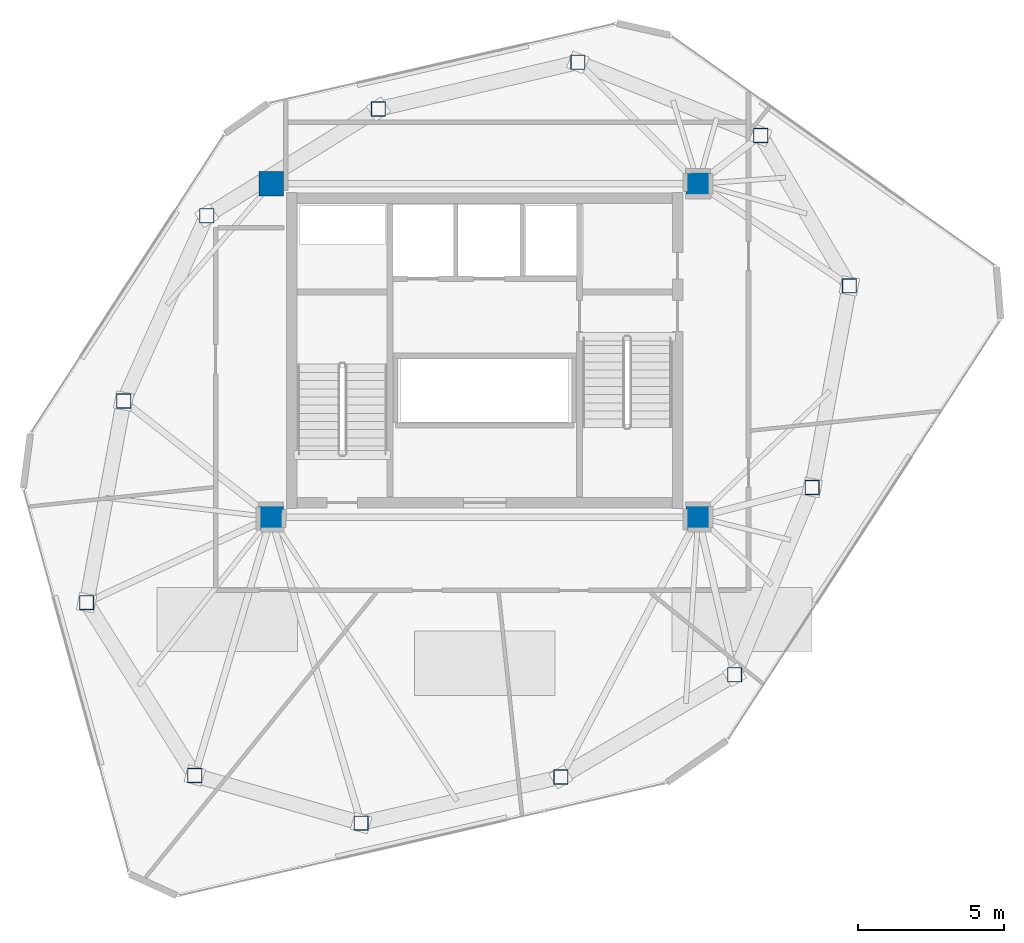
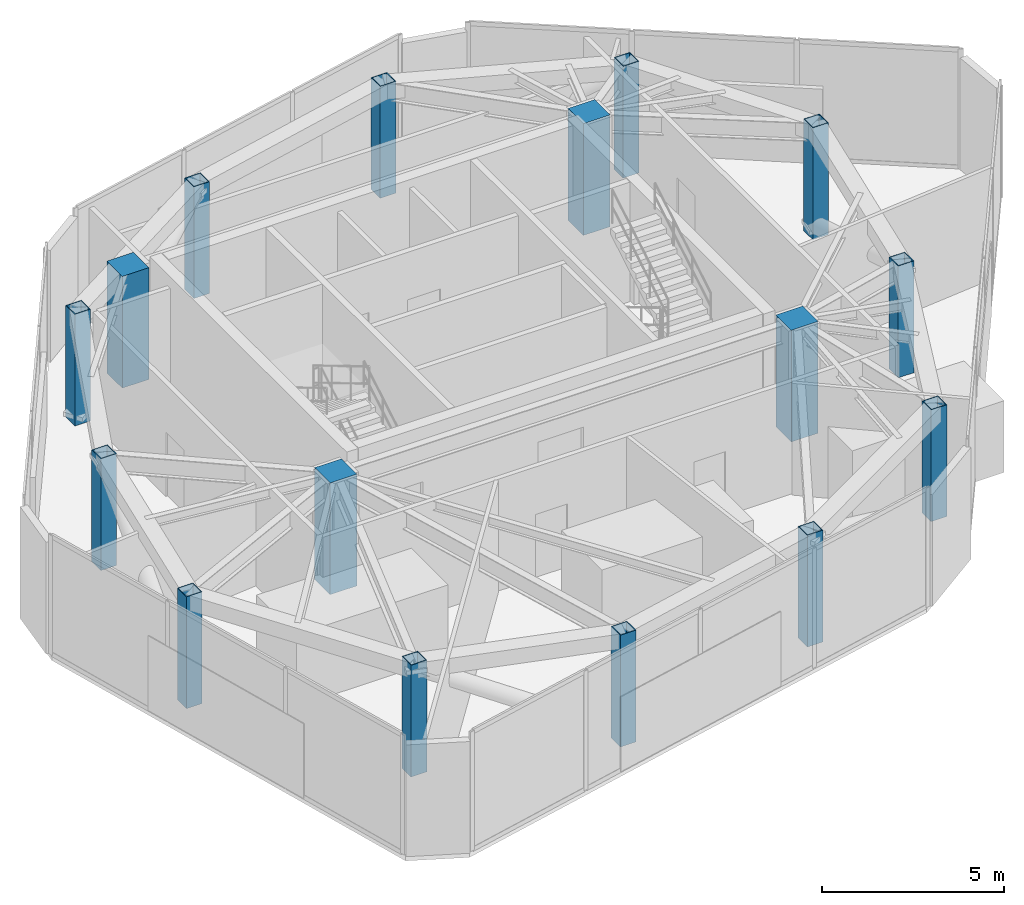
# One storey, part 1 of 21: 16 columns.
"""IFC4 building model written with IfcOpenShell, lengths in metres."""

import ifcopenshell
import ifcopenshell.guid

model = None  # the IFC model being written
_history = None  # IfcOwnerHistory: only IFC2X3 demands one
_inside = {}  # id of a spatial element -> (the spatial element, [elements in it])
_under = {}  # id of a project, library or spatial element -> (it, [spatial elements below it])
_declared = {}  # id of a project -> (the project, [libraries it declares])
_typed = {}  # id of a type object -> (the type object, [elements of that type])
_made_of = {}  # id of a material, layer set ... -> (it, [elements and type objects made of it])


def new_model(schema):
    """Start an empty IFC model of exactly this schema.

    Asked for "IFC4X3", IfcOpenShell would pick the latest addendum, in which some entities
    have other attributes; the version numbers below select the first issue.
    IFC2X3 requires an IfcOwnerHistory on every rooted entity: one is made here for all.
    """
    global model, _history
    if schema == "IFC4X3":
        model = ifcopenshell.file(schema_version=(4, 3, 0, 0))
    else:
        model = ifcopenshell.file(schema=schema)
    _inside.clear()
    _under.clear()
    _declared.clear()
    _typed.clear()
    _made_of.clear()
    _history = None
    if model.schema == "IFC2X3":
        org = make("IfcOrganization", Name="unknown")
        user = make(
            "IfcPersonAndOrganization",
            ThePerson=make("IfcPerson", FamilyName="unknown"),
            TheOrganization=org,
        )
        app = make(
            "IfcApplication",
            ApplicationDeveloper=org,
            Version="unknown",
            ApplicationFullName="unknown",
            ApplicationIdentifier="unknown",
        )
        _history = make(
            "IfcOwnerHistory",
            OwningUser=user,
            OwningApplication=app,
            ChangeAction="ADDED",
            CreationDate=0,
        )
    return model


def make(cls, **values):
    """One entity of the class cls with the attributes given. An attribute that is None is left unset."""
    return model.create_entity(
        cls, **{name: value for name, value in values.items() if value is not None}
    )


def rooted(cls, **values):
    """An entity with a GlobalId (a new one), such as an element, a storey or a relation."""
    return make(cls, GlobalId=ifcopenshell.guid.new(), OwnerHistory=_history, **values)


def si_unit(unit_type, name, prefix=None):
    """IfcSIUnit, for example si_unit("LENGTHUNIT", "METRE", prefix="MILLI")."""
    return make("IfcSIUnit", UnitType=unit_type, Prefix=prefix, Name=name)


def assignment(units):
    """IfcUnitAssignment: the units of a project."""
    return None if units is None else make("IfcUnitAssignment", Units=units)


def point(xyz):
    """IfcCartesianPoint."""
    return None if xyz is None else make("IfcCartesianPoint", Coordinates=xyz)


def direction(xyz):
    """IfcDirection."""
    return None if xyz is None else make("IfcDirection", DirectionRatios=xyz)


def frame(location, z_axis=None, x_axis=None):
    """IfcAxis2Placement3D, a coordinate frame: its origin and axes. An axis left out is left unset."""
    return make(
        "IfcAxis2Placement3D",
        Location=point(location),
        Axis=direction(z_axis),
        RefDirection=direction(x_axis),
    )


def frame_2d(location, x_axis=None):
    """IfcAxis2Placement2D, a coordinate frame in the plane: its origin and x axis."""
    return make(
        "IfcAxis2Placement2D", Location=point(location), RefDirection=direction(x_axis)
    )


def origin():
    """The frame at (0, 0, 0) with its axes left unset."""
    return frame((0.0, 0.0, 0.0))


def origin_2d():
    """The frame at (0, 0) in the plane with its x axis left unset."""
    return frame_2d((0.0, 0.0))


def place(relative_to, where):
    """IfcLocalPlacement: puts the frame where relative to a parent placement (None: the world)."""
    return make(
        "IfcLocalPlacement", PlacementRelTo=relative_to, RelativePlacement=where
    )


def context(
    kind, dimensions, precision=None, world=None, true_north=None, identifier=None
):
    """IfcGeometricRepresentationContext, for example the 3D "Model" context."""
    return make(
        "IfcGeometricRepresentationContext",
        ContextIdentifier=identifier,
        ContextType=kind,
        CoordinateSpaceDimension=dimensions,
        Precision=precision,
        WorldCoordinateSystem=world,
        TrueNorth=true_north,
    )


def subcontext(parent, identifier, kind, view, scale=None):
    """IfcGeometricRepresentationSubContext, for example "Body" below "Model"."""
    return make(
        "IfcGeometricRepresentationSubContext",
        ContextIdentifier=identifier,
        ContextType=kind,
        ParentContext=parent,
        TargetScale=scale,
        TargetView=view,
    )


def project(units=None, contexts=None):
    """IfcProject with its units and contexts."""
    return rooted(
        "IfcProject",
        Name="project",
        RepresentationContexts=contexts,
        UnitsInContext=assignment(units),
    )


def spatial(cls, under=None, at=None, **own):
    """A site, building, storey or space (cls), placed at a placement, below another one or the project."""
    s = rooted(cls, ObjectPlacement=at, **own)
    if under is not None:
        _under.setdefault(under.id(), (under, []))[1].append(s)
    return s


def profile(cls, at=None, kind="AREA", **sizes):
    """A parametric profile (cls). Its sizes go by their IFC names, for example OverallWidth=200.0."""
    return make(cls, ProfileType=kind, Position=at, **sizes)


def rectangle(**sizes):
    """IfcRectangleProfileDef."""
    return profile("IfcRectangleProfileDef", **sizes)


def hollow_rectangle(**sizes):
    """IfcRectangleHollowProfileDef."""
    return profile("IfcRectangleHollowProfileDef", **sizes)


def extrude(swept, where, along, depth):
    """IfcExtrudedAreaSolid: the profile swept, set in the frame where, extruded along a direction by depth."""
    return make(
        "IfcExtrudedAreaSolid",
        SweptArea=swept,
        Position=where,
        ExtrudedDirection=direction(along),
        Depth=depth,
    )


def shape(context_of_items, identifier, shape_type, items):
    """IfcShapeRepresentation: the items that make up one representation, for example the "Body"."""
    return make(
        "IfcShapeRepresentation",
        ContextOfItems=context_of_items,
        RepresentationIdentifier=identifier,
        RepresentationType=shape_type,
        Items=items,
    )


def material(Name=None, Category=None):
    """IfcMaterial."""
    return make("IfcMaterial", Name=Name, Category=Category)


def material_profile(
    of_material, cross_section, Name=None, Category=None, Priority=None
):
    """IfcMaterialProfile: a cross section and its material."""
    return make(
        "IfcMaterialProfile",
        Name=Name,
        Material=of_material,
        Profile=cross_section,
        Priority=Priority,
        Category=Category,
    )


def profile_set(profiles, Name=None, composite=None):
    """IfcMaterialProfileSet."""
    return make(
        "IfcMaterialProfileSet",
        Name=Name,
        MaterialProfiles=profiles,
        CompositeProfile=composite,
    )


def made_of(thing, what):
    """Note that an element or type object is made of a material, layer set ...; save() writes the relation."""
    if what is not None:
        _made_of.setdefault(what.id(), (what, []))[1].append(thing)
    return thing


def type_object(cls, material=None, **own):
    """A type object (cls), such as IfcWallType, which elements share."""
    return made_of(rooted(cls, **own), material)


def element(
    cls,
    number,
    at=None,
    inside=None,
    cuts=None,
    type_object=None,
    material=None,
    context=None,
    identifier="Body",
    shape_type=None,
    held_by="IfcProductDefinitionShape",
    body=None,
    shapes=None,
    **own,
):
    """One element of the class cls, such as IfcWall. Its Tag is "e" and its number.

    at: its placement. inside: the storey or other place that contains it. cuts: it is an
    opening in that element (IfcRelVoidsElement). A single representation is given by context,
    identifier, shape_type and body (its items); several are given by shapes. held_by: the class
    of the entity that holds the representations. save() writes the other relations.
    """
    e = rooted(cls, Tag="e%d" % number, ObjectPlacement=at, **own)
    if body is not None:
        shapes = [shape(context, identifier, shape_type, body)]
    if shapes is not None:
        e.Representation = make(held_by, Representations=shapes)
    if inside is not None:
        _inside.setdefault(inside.id(), (inside, []))[1].append(e)
    if cuts is not None:
        rooted(
            "IfcRelVoidsElement", RelatingBuildingElement=cuts, RelatedOpeningElement=e
        )
    if type_object is not None:
        _typed.setdefault(type_object.id(), (type_object, []))[1].append(e)
    return made_of(e, material)


def aggregate(whole, parts):
    """IfcRelAggregates: a whole, such as a stair, and the parts it consists of."""
    return rooted("IfcRelAggregates", RelatingObject=whole, RelatedObjects=parts)


def save(model, path):
    """Write the relations noted so far, then the file.

    IfcRelAggregates (storeys below a building ...), IfcRelContainedInSpatialStructure (elements
    in a storey), IfcRelDefinesByType, IfcRelAssociatesMaterial and IfcRelDeclares: one each for
    every whole, place, type object, material and project.
    """
    for whole, parts in _under.values():
        aggregate(whole, parts)
    for where, things in _inside.values():
        rooted(
            "IfcRelContainedInSpatialStructure",
            RelatedElements=things,
            RelatingStructure=where,
        )
    for kind, things in _typed.values():
        rooted("IfcRelDefinesByType", RelatedObjects=things, RelatingType=kind)
    for what, things in _made_of.values():
        rooted("IfcRelAssociatesMaterial", RelatedObjects=things, RelatingMaterial=what)
    for by, libraries in _declared.values():
        rooted("IfcRelDeclares", RelatingContext=by, RelatedDefinitions=libraries)
    model.write(path)


model = new_model("IFC4")

# Units and contexts
model_context = context("Model", 3, precision=1e-05, world=origin(), true_north=direction((0.0, 1.0)))
body_context = subcontext(model_context, "Body", "Model", "MODEL_VIEW")
ifc_project = project(units=[si_unit("LENGTHUNIT", "METRE"), si_unit("AREAUNIT", "SQUARE_METRE"), si_unit("VOLUMEUNIT", "CUBIC_METRE"), si_unit("PLANEANGLEUNIT", "RADIAN"), si_unit("MASSUNIT", "GRAM", prefix="KILO")], contexts=[model_context])

# Site, building, storey
site_placement = place(None, origin())
site = spatial("IfcSite", under=ifc_project, at=site_placement, CompositionType="ELEMENT")
building_placement = place(site_placement, origin())
building = spatial("IfcBuilding", under=site, at=building_placement, Name="Talar Marvaseh", CompositionType="ELEMENT")
storey_placement = place(building_placement, frame((0.0, 0.0, 304.0)))
storey = spatial("IfcBuildingStorey", under=building, at=storey_placement, Name="L81", CompositionType="ELEMENT", Elevation=304.0)

# Columns
ifc_material_1 = material(Name="Steel S460", Category="steel")
ifc_material_profile_1 = material_profile(ifc_material_1, hollow_rectangle(XDim=0.5, YDim=0.5, WallThickness=0.02490234375, at=origin_2d()), Name="BOX500x500x25")
ifc_profile_set_1 = profile_set([ifc_material_profile_1], Name="Steel S460")
column_type_1 = type_object("IfcColumnType", Name="Crown Frame Structural Column BOX500x500x25", PredefinedType="COLUMN", material=ifc_profile_set_1)
for number, where, z_axis, x_axis, name in (
    (1, (12.388916015625, 22.576904296875, 0.0), (0.0, 0.0, 1.0), (1.0, 0.0, 0.0), "L81 Crown Frame Structural Column BOX500x500x25"),
    (2, (13.657958984375, 29.469970703125, 0.0), (0.0, 0.0, 1.0), (1.0, 0.0, 0.0), "L81 Crown Frame Structural Column BOX500x500x25"),
    (3, (16.493896484375, 35.806884765625, 0.0), (0.0, 0.0, 1.0), (1.0, 0.0, 0.0), "L81 Crown Frame Structural Column BOX500x500x25"),
    (4, (22.364990234375, 39.4541015625, 0.0), (0.0, 0.0, 1.0), (1.0, 0.0, 0.0), "L81 Crown Frame Structural Column BOX500x500x25"),
    (5, (29.18798828125, 41.052001953125, 0.0), (0.0, 0.0, 1.0), (1.0, 0.0, 0.0), "L81 Crown Frame Structural Column BOX500x500x25"),
    (6, (35.43798828125, 38.551025390625, 0.0), (0.0, 0.0, 1.0), (1.0, 0.0, 0.0), "L81 Crown Frame Structural Column BOX500x500x25"),
    (7, (38.470947265625, 33.406005859375, 0.0), (0.0, 0.0, 1.0), (1.0, 0.0, 0.0), "L81 Crown Frame Structural Column BOX500x500x25"),
    (8, (37.197021484375, 26.513916015625, 0.0), (0.0, 0.0, 1.0), (1.0, 0.0, 0.0), "L81 Crown Frame Structural Column BOX500x500x25"),
    (9, (34.5439453125, 20.111083984375, 0.0), (0.0, 0.0, 1.0), (1.0, 0.0, 0.0), "L81 Crown Frame Structural Column BOX500x500x25"),
    (10, (28.60498046875, 16.616943359375, 0.0), (0.0, 0.0, 1.0), (1.0, 0.0, 0.0), "L81 Crown Frame Structural Column BOX500x500x25"),
    (11, (21.77587890625, 15.0400390625, 0.0), (0.0, 0.0, 1.0), (1.0, 0.0, 0.0), "L81 Crown Frame Structural Column BOX500x500x25"),
    (12, (16.0869140625, 16.66796875, 0.0), (0.0, 0.0, 1.0), (1.0, 0.0, 0.0), "L81 Crown Frame Structural Column BOX500x500x25"),
):
    element("IfcColumn", number, at=place(storey_placement, frame(where, z_axis=z_axis, x_axis=x_axis)), inside=storey, type_object=column_type_1, Name=name, PredefinedType="COLUMN", context=body_context, shape_type="SweptSolid", body=[
        extrude(hollow_rectangle(XDim=0.5, YDim=0.5, WallThickness=0.02490234375, at=origin_2d()), origin(), (0.0, 0.0, 1.0), 3.739990234375),
    ])
ifc_material_2 = material(Name="Concrete C50/60", Category="concrete")
ifc_material_profile_2 = material_profile(ifc_material_2, rectangle(XDim=0.85009765625, YDim=0.85009765625, at=origin_2d()), Name="RC850x850")
ifc_profile_set_2 = profile_set([ifc_material_profile_2], Name="Concrete C50/60")
column_type_2 = type_object("IfcColumnType", Name="Zone 4 Tube Column RC850x850", PredefinedType="COLUMN", material=ifc_profile_set_2)
for number, where, z_axis, x_axis, name in (
    (13, (18.699951171875, 25.5, 0.0), (0.0, 0.0, 1.0), (1.0, 0.0, 0.0), "L81 Zone 4 Tube Column RC850x850"),
    (14, (33.300048828125, 25.5, 0.0), (0.0, 0.0, 1.0), (1.0, 0.0, 0.0), "L81 Zone 4 Tube Column RC850x850"),
    (15, (33.300048828125, 36.89990234375, 0.0), (0.0, 0.0, 1.0), (1.0, 0.0, 0.0), "L81 Zone 4 Tube Column RC850x850"),
    (16, (18.699951171875, 36.89990234375, 0.0), (0.0, 0.0, 1.0), (1.0, 0.0, 0.0), "L81 Zone 4 Tube Column RC850x850"),
):
    element("IfcColumn", number, at=place(storey_placement, frame(where, z_axis=z_axis, x_axis=x_axis)), inside=storey, type_object=column_type_2, Name=name, PredefinedType="COLUMN", context=body_context, shape_type="SweptSolid", body=[
        extrude(rectangle(XDim=0.85009765625, YDim=0.85009765625, at=origin_2d()), origin(), (0.0, 0.0, 1.0), 3.739990234375),
    ])

save(model, "model.ifc")
